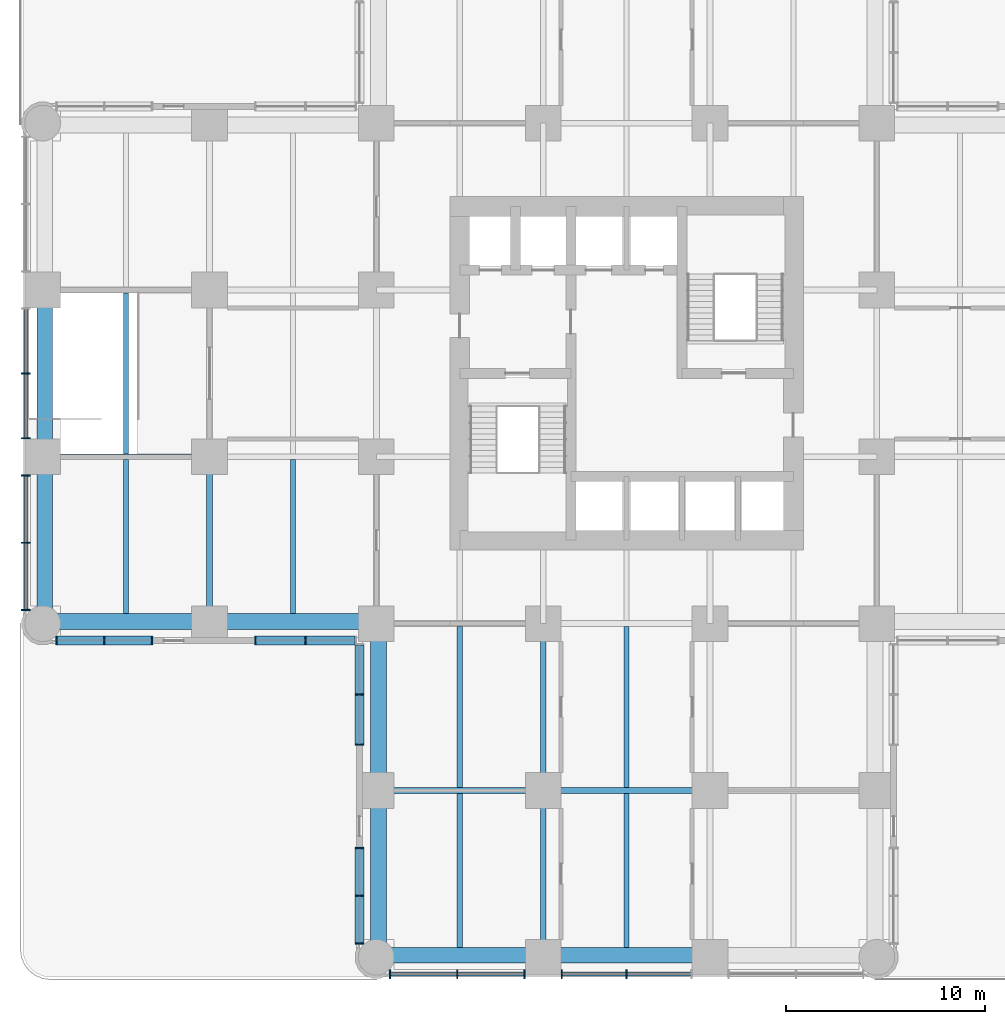
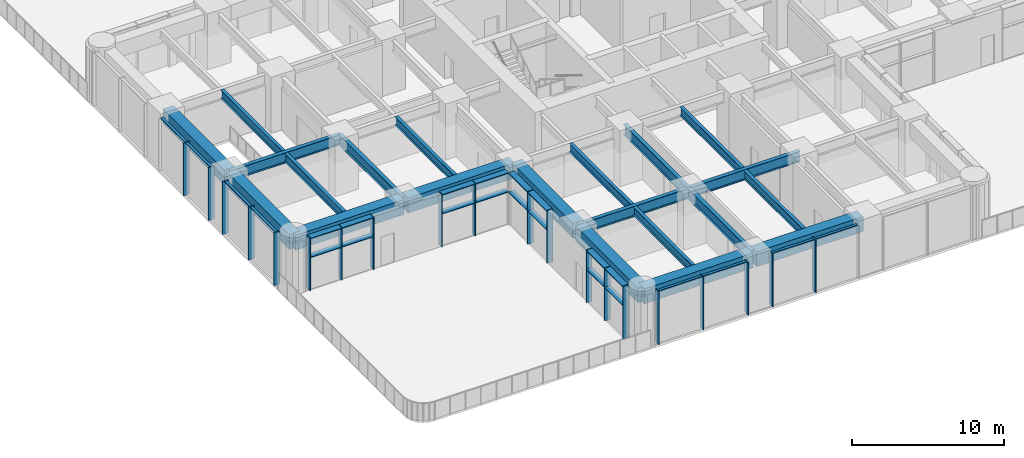
# One storey, part 2 of 21: 44 members, 21 beams, 6 elements without a shape of their own.
"""IFC4 building model written with IfcOpenShell, lengths in metres."""

import ifcopenshell
import ifcopenshell.guid

model = None  # the IFC model being written
_history = None  # IfcOwnerHistory: only IFC2X3 demands one
_inside = {}  # id of a spatial element -> (the spatial element, [elements in it])
_under = {}  # id of a project, library or spatial element -> (it, [spatial elements below it])
_declared = {}  # id of a project -> (the project, [libraries it declares])
_typed = {}  # id of a type object -> (the type object, [elements of that type])
_made_of = {}  # id of a material, layer set ... -> (it, [elements and type objects made of it])


def new_model(schema):
    """Start an empty IFC model of exactly this schema.

    Asked for "IFC4X3", IfcOpenShell would pick the latest addendum, in which some entities
    have other attributes; the version numbers below select the first issue.
    IFC2X3 requires an IfcOwnerHistory on every rooted entity: one is made here for all.
    """
    global model, _history
    if schema == "IFC4X3":
        model = ifcopenshell.file(schema_version=(4, 3, 0, 0))
    else:
        model = ifcopenshell.file(schema=schema)
    _inside.clear()
    _under.clear()
    _declared.clear()
    _typed.clear()
    _made_of.clear()
    _history = None
    if model.schema == "IFC2X3":
        org = make("IfcOrganization", Name="unknown")
        user = make(
            "IfcPersonAndOrganization",
            ThePerson=make("IfcPerson", FamilyName="unknown"),
            TheOrganization=org,
        )
        app = make(
            "IfcApplication",
            ApplicationDeveloper=org,
            Version="unknown",
            ApplicationFullName="unknown",
            ApplicationIdentifier="unknown",
        )
        _history = make(
            "IfcOwnerHistory",
            OwningUser=user,
            OwningApplication=app,
            ChangeAction="ADDED",
            CreationDate=0,
        )
    return model


def make(cls, **values):
    """One entity of the class cls with the attributes given. An attribute that is None is left unset."""
    return model.create_entity(
        cls, **{name: value for name, value in values.items() if value is not None}
    )


def rooted(cls, **values):
    """An entity with a GlobalId (a new one), such as an element, a storey or a relation."""
    return make(cls, GlobalId=ifcopenshell.guid.new(), OwnerHistory=_history, **values)


def si_unit(unit_type, name, prefix=None):
    """IfcSIUnit, for example si_unit("LENGTHUNIT", "METRE", prefix="MILLI")."""
    return make("IfcSIUnit", UnitType=unit_type, Prefix=prefix, Name=name)


def assignment(units):
    """IfcUnitAssignment: the units of a project."""
    return None if units is None else make("IfcUnitAssignment", Units=units)


def point(xyz):
    """IfcCartesianPoint."""
    return None if xyz is None else make("IfcCartesianPoint", Coordinates=xyz)


def direction(xyz):
    """IfcDirection."""
    return None if xyz is None else make("IfcDirection", DirectionRatios=xyz)


def frame(location, z_axis=None, x_axis=None):
    """IfcAxis2Placement3D, a coordinate frame: its origin and axes. An axis left out is left unset."""
    return make(
        "IfcAxis2Placement3D",
        Location=point(location),
        Axis=direction(z_axis),
        RefDirection=direction(x_axis),
    )


def frame_2d(location, x_axis=None):
    """IfcAxis2Placement2D, a coordinate frame in the plane: its origin and x axis."""
    return make(
        "IfcAxis2Placement2D", Location=point(location), RefDirection=direction(x_axis)
    )


def origin():
    """The frame at (0, 0, 0) with its axes left unset."""
    return frame((0.0, 0.0, 0.0))


def origin_2d():
    """The frame at (0, 0) in the plane with its x axis left unset."""
    return frame_2d((0.0, 0.0))


def place(relative_to, where):
    """IfcLocalPlacement: puts the frame where relative to a parent placement (None: the world)."""
    return make(
        "IfcLocalPlacement", PlacementRelTo=relative_to, RelativePlacement=where
    )


def context(
    kind, dimensions, precision=None, world=None, true_north=None, identifier=None
):
    """IfcGeometricRepresentationContext, for example the 3D "Model" context."""
    return make(
        "IfcGeometricRepresentationContext",
        ContextIdentifier=identifier,
        ContextType=kind,
        CoordinateSpaceDimension=dimensions,
        Precision=precision,
        WorldCoordinateSystem=world,
        TrueNorth=true_north,
    )


def subcontext(parent, identifier, kind, view, scale=None):
    """IfcGeometricRepresentationSubContext, for example "Body" below "Model"."""
    return make(
        "IfcGeometricRepresentationSubContext",
        ContextIdentifier=identifier,
        ContextType=kind,
        ParentContext=parent,
        TargetScale=scale,
        TargetView=view,
    )


def project(units=None, contexts=None):
    """IfcProject with its units and contexts."""
    return rooted(
        "IfcProject",
        Name="project",
        RepresentationContexts=contexts,
        UnitsInContext=assignment(units),
    )


def spatial(cls, under=None, at=None, **own):
    """A site, building, storey or space (cls), placed at a placement, below another one or the project."""
    s = rooted(cls, ObjectPlacement=at, **own)
    if under is not None:
        _under.setdefault(under.id(), (under, []))[1].append(s)
    return s


def profile(cls, at=None, kind="AREA", **sizes):
    """A parametric profile (cls). Its sizes go by their IFC names, for example OverallWidth=200.0."""
    return make(cls, ProfileType=kind, Position=at, **sizes)


def rectangle(**sizes):
    """IfcRectangleProfileDef."""
    return profile("IfcRectangleProfileDef", **sizes)


def i_section(**sizes):
    """IfcIShapeProfileDef."""
    return profile("IfcIShapeProfileDef", **sizes)


def extrude(swept, where, along, depth):
    """IfcExtrudedAreaSolid: the profile swept, set in the frame where, extruded along a direction by depth."""
    return make(
        "IfcExtrudedAreaSolid",
        SweptArea=swept,
        Position=where,
        ExtrudedDirection=direction(along),
        Depth=depth,
    )


def shape(context_of_items, identifier, shape_type, items):
    """IfcShapeRepresentation: the items that make up one representation, for example the "Body"."""
    return make(
        "IfcShapeRepresentation",
        ContextOfItems=context_of_items,
        RepresentationIdentifier=identifier,
        RepresentationType=shape_type,
        Items=items,
    )


def material(Name=None, Category=None):
    """IfcMaterial."""
    return make("IfcMaterial", Name=Name, Category=Category)


def material_profile(
    of_material, cross_section, Name=None, Category=None, Priority=None
):
    """IfcMaterialProfile: a cross section and its material."""
    return make(
        "IfcMaterialProfile",
        Name=Name,
        Material=of_material,
        Profile=cross_section,
        Priority=Priority,
        Category=Category,
    )


def profile_set(profiles, Name=None, composite=None):
    """IfcMaterialProfileSet."""
    return make(
        "IfcMaterialProfileSet",
        Name=Name,
        MaterialProfiles=profiles,
        CompositeProfile=composite,
    )


def made_of(thing, what):
    """Note that an element or type object is made of a material, layer set ...; save() writes the relation."""
    if what is not None:
        _made_of.setdefault(what.id(), (what, []))[1].append(thing)
    return thing


def type_object(cls, material=None, **own):
    """A type object (cls), such as IfcWallType, which elements share."""
    return made_of(rooted(cls, **own), material)


def element(
    cls,
    number,
    at=None,
    inside=None,
    cuts=None,
    type_object=None,
    material=None,
    context=None,
    identifier="Body",
    shape_type=None,
    held_by="IfcProductDefinitionShape",
    body=None,
    shapes=None,
    **own,
):
    """One element of the class cls, such as IfcWall. Its Tag is "e" and its number.

    at: its placement. inside: the storey or other place that contains it. cuts: it is an
    opening in that element (IfcRelVoidsElement). A single representation is given by context,
    identifier, shape_type and body (its items); several are given by shapes. held_by: the class
    of the entity that holds the representations. save() writes the other relations.
    """
    e = rooted(cls, Tag="e%d" % number, ObjectPlacement=at, **own)
    if body is not None:
        shapes = [shape(context, identifier, shape_type, body)]
    if shapes is not None:
        e.Representation = make(held_by, Representations=shapes)
    if inside is not None:
        _inside.setdefault(inside.id(), (inside, []))[1].append(e)
    if cuts is not None:
        rooted(
            "IfcRelVoidsElement", RelatingBuildingElement=cuts, RelatedOpeningElement=e
        )
    if type_object is not None:
        _typed.setdefault(type_object.id(), (type_object, []))[1].append(e)
    return made_of(e, material)


def aggregate(whole, parts):
    """IfcRelAggregates: a whole, such as a stair, and the parts it consists of."""
    return rooted("IfcRelAggregates", RelatingObject=whole, RelatedObjects=parts)


def save(model, path):
    """Write the relations noted so far, then the file.

    IfcRelAggregates (storeys below a building ...), IfcRelContainedInSpatialStructure (elements
    in a storey), IfcRelDefinesByType, IfcRelAssociatesMaterial and IfcRelDeclares: one each for
    every whole, place, type object, material and project.
    """
    for whole, parts in _under.values():
        aggregate(whole, parts)
    for where, things in _inside.values():
        rooted(
            "IfcRelContainedInSpatialStructure",
            RelatedElements=things,
            RelatingStructure=where,
        )
    for kind, things in _typed.values():
        rooted("IfcRelDefinesByType", RelatedObjects=things, RelatingType=kind)
    for what, things in _made_of.values():
        rooted("IfcRelAssociatesMaterial", RelatedObjects=things, RelatingMaterial=what)
    for by, libraries in _declared.values():
        rooted("IfcRelDeclares", RelatingContext=by, RelatedDefinitions=libraries)
    model.write(path)


model = new_model("IFC4")

# Units and contexts
model_context = context("Model", 3, precision=1e-05, world=origin(), true_north=direction((0.0, 1.0)))
body_context = subcontext(model_context, "Body", "Model", "MODEL_VIEW")
ifc_project = project(units=[si_unit("LENGTHUNIT", "METRE"), si_unit("AREAUNIT", "SQUARE_METRE"), si_unit("VOLUMEUNIT", "CUBIC_METRE"), si_unit("PLANEANGLEUNIT", "RADIAN"), si_unit("MASSUNIT", "GRAM", prefix="KILO")], contexts=[model_context])

# Site, building, storey
site_placement = place(None, origin())
site = spatial("IfcSite", under=ifc_project, at=site_placement, CompositionType="ELEMENT")
building_placement = place(site_placement, origin())
building = spatial("IfcBuilding", under=site, at=building_placement, Name="Torre Alcanfor", CompositionType="ELEMENT")
storey_placement = place(building_placement, frame((0.0, 0.0, 24.0)))
storey = spatial("IfcBuildingStorey", under=building, at=storey_placement, Name="L05", CompositionType="ELEMENT", Elevation=24.0)

# Curtain wall, members
ifc_material_1 = material(Name="Aluminium and glass", Category="aluminium")
curtain_wall_type_1 = type_object("IfcCurtainWallType", Name="CW-B unitised classroom glazing with vertical FIN", PredefinedType="NOTDEFINED", material=ifc_material_1)
curtain_wall_1_placement = place(storey_placement, origin())
curtain_wall_1 = element("IfcCurtainWall", 1, at=curtain_wall_1_placement, inside=storey, type_object=curtain_wall_type_1, Name="Curtain wall CW-B L05 2", PredefinedType="NOTDEFINED")
ifc_material_2 = material(Name="Bronze anodised aluminium", Category="aluminium")
ifc_material_profile_1 = material_profile(ifc_material_2, rectangle(XDim=0.449951171875, YDim=0.06494140625, at=origin_2d()), Name="CW-B mullion 65x450")
ifc_profile_set_1 = profile_set([ifc_material_profile_1], Name="Bronze anodised aluminium")
member_type_1 = type_object("IfcMemberType", Name="CW-B mullion with vertical FIN 65x450", PredefinedType="MULLION", material=ifc_profile_set_1)
member_1_placement = place(storey_placement, frame((-0.85009765625, 29.39990234375, 0.0), z_axis=(0.0, 0.0, 1.0), x_axis=(1.0, 0.0, 0.0)))
member_1 = element("IfcMember", 2, at=member_1_placement, type_object=member_type_1, Name="CW-B mullion 2.2", PredefinedType="MULLION", context=body_context, shape_type="SweptSolid", body=[
    extrude(rectangle(XDim=0.449951171875, YDim=0.06494140625, at=origin_2d()), origin(), (0.0, 0.0, 1.0), 4.25),
])
member_2_placement = place(storey_placement, frame((-0.85009765625, 26.137451171875, 0.0), z_axis=(0.0, 0.0, 1.0), x_axis=(1.0, 0.0, 0.0)))
member_2 = element("IfcMember", 3, at=member_2_placement, type_object=member_type_1, Name="CW-B mullion 2.3", PredefinedType="MULLION", context=body_context, shape_type="SweptSolid", body=[
    extrude(rectangle(XDim=0.449951171875, YDim=0.06494140625, at=origin_2d()), origin(), (0.0, 0.0, 1.0), 4.25),
])
member_3_placement = place(storey_placement, frame((-0.85009765625, 24.262451171875, 0.0), z_axis=(0.0, 0.0, 1.0), x_axis=(1.0, 0.0, 0.0)))
member_3 = element("IfcMember", 4, at=member_3_placement, type_object=member_type_1, Name="CW-B mullion 3.1", PredefinedType="MULLION", context=body_context, shape_type="SweptSolid", body=[
    extrude(rectangle(XDim=0.449951171875, YDim=0.06494140625, at=origin_2d()), origin(), (0.0, 0.0, 1.0), 4.25),
])
member_4_placement = place(storey_placement, frame((-0.85009765625, 20.874755859375, 0.0), z_axis=(0.0, 0.0, 1.0), x_axis=(1.0, 0.0, 0.0)))
member_4 = element("IfcMember", 5, at=member_4_placement, type_object=member_type_1, Name="CW-B mullion 3.2", PredefinedType="MULLION", context=body_context, shape_type="SweptSolid", body=[
    extrude(rectangle(XDim=0.449951171875, YDim=0.06494140625, at=origin_2d()), origin(), (0.0, 0.0, 1.0), 4.25),
])
member_5_placement = place(storey_placement, frame((-0.85009765625, 17.487060546875, 0.0), z_axis=(0.0, 0.0, 1.0), x_axis=(1.0, 0.0, 0.0)))
member_5 = element("IfcMember", 6, at=member_5_placement, type_object=member_type_1, Name="CW-B mullion 3.3", PredefinedType="MULLION", context=body_context, shape_type="SweptSolid", body=[
    extrude(rectangle(XDim=0.449951171875, YDim=0.06494140625, at=origin_2d()), origin(), (0.0, 0.0, 1.0), 4.25),
])

curtain_wall_2_placement = place(storey_placement, origin())
curtain_wall_2 = element("IfcCurtainWall", 7, at=curtain_wall_2_placement, inside=storey, type_object=curtain_wall_type_1, Name="Curtain wall CW-B L05 5", PredefinedType="NOTDEFINED")
member_6_placement = place(storey_placement, frame((17.487060546875, -0.85009765625, 0.0), z_axis=(0.0, 0.0, 1.0), x_axis=(0.0, 1.0, 0.0)))
member_6 = element("IfcMember", 8, at=member_6_placement, type_object=member_type_1, Name="CW-B mullion 1.1", PredefinedType="MULLION", context=body_context, shape_type="SweptSolid", body=[
    extrude(rectangle(XDim=0.449951171875, YDim=0.06494140625, at=origin_2d()), origin(), (0.0, 0.0, 1.0), 4.25),
])
member_7_placement = place(storey_placement, frame((20.874755859375, -0.85009765625, 0.0), z_axis=(0.0, 0.0, 1.0), x_axis=(0.0, 1.0, 0.0)))
member_7 = element("IfcMember", 9, at=member_7_placement, type_object=member_type_1, Name="CW-B mullion 1.2", PredefinedType="MULLION", context=body_context, shape_type="SweptSolid", body=[
    extrude(rectangle(XDim=0.449951171875, YDim=0.06494140625, at=origin_2d()), origin(), (0.0, 0.0, 1.0), 4.25),
])
member_8_placement = place(storey_placement, frame((24.262451171875, -0.85009765625, 0.0), z_axis=(0.0, 0.0, 1.0), x_axis=(0.0, 1.0, 0.0)))
member_8 = element("IfcMember", 10, at=member_8_placement, type_object=member_type_1, Name="CW-B mullion 1.3", PredefinedType="MULLION", context=body_context, shape_type="SweptSolid", body=[
    extrude(rectangle(XDim=0.449951171875, YDim=0.06494140625, at=origin_2d()), origin(), (0.0, 0.0, 1.0), 4.25),
])
member_9_placement = place(storey_placement, frame((26.137451171875, -0.85009765625, 0.0), z_axis=(0.0, 0.0, 1.0), x_axis=(0.0, 1.0, 0.0)))
member_9 = element("IfcMember", 11, at=member_9_placement, type_object=member_type_1, Name="CW-B mullion 2.1", PredefinedType="MULLION", context=body_context, shape_type="SweptSolid", body=[
    extrude(rectangle(XDim=0.449951171875, YDim=0.06494140625, at=origin_2d()), origin(), (0.0, 0.0, 1.0), 4.25),
])
member_10_placement = place(storey_placement, frame((29.39990234375, -0.85009765625, 0.0), z_axis=(0.0, 0.0, 1.0), x_axis=(0.0, 1.0, 0.0)))
member_10 = element("IfcMember", 12, at=member_10_placement, type_object=member_type_1, Name="CW-B mullion 2.2", PredefinedType="MULLION", context=body_context, shape_type="SweptSolid", body=[
    extrude(rectangle(XDim=0.449951171875, YDim=0.06494140625, at=origin_2d()), origin(), (0.0, 0.0, 1.0), 4.25),
])

# Member
ifc_material_3 = material(Name="Extruded aluminium", Category="aluminium")
ifc_material_profile_2 = material_profile(ifc_material_3, rectangle(XDim=0.199951171875, YDim=0.06494140625, at=origin_2d()), Name="CW-B transom 200x65")
ifc_profile_set_2 = profile_set([ifc_material_profile_2], Name="Extruded aluminium")
member_type_2 = type_object("IfcMemberType", Name="CW-B transom 65x200", PredefinedType="USERDEFINED", material=ifc_profile_set_2)
member_11_placement = place(storey_placement, frame((-0.85009765625, 32.6298828125, 4.217529296875), z_axis=(0.0, -1.0, 0.0), x_axis=(1.0, 0.0, 0.0)))
member_11 = element("IfcMember", 13, at=member_11_placement, type_object=member_type_2, Name="CW-B transom 2.1.2", ObjectType="TRANSOM", PredefinedType="USERDEFINED", context=body_context, shape_type="SweptSolid", body=[
    extrude(rectangle(XDim=0.199951171875, YDim=0.06494140625, at=origin_2d()), origin(), (0.0, 0.0, 1.0), 3.197265625),
])

member_12_placement = place(storey_placement, frame((-0.85009765625, 29.367431640625, 4.217529296875), z_axis=(0.0, -1.0, 0.0), x_axis=(1.0, 0.0, 0.0)))
member_12 = element("IfcMember", 14, at=member_12_placement, type_object=member_type_2, Name="CW-B transom 2.2.2", ObjectType="TRANSOM", PredefinedType="USERDEFINED", context=body_context, shape_type="SweptSolid", body=[
    extrude(rectangle(XDim=0.199951171875, YDim=0.06494140625, at=origin_2d()), origin(), (0.0, 0.0, 1.0), 3.197509765625),
])

member_13_placement = place(storey_placement, frame((-0.85009765625, 24.22998046875, 4.217529296875), z_axis=(0.0, -1.0, 0.0), x_axis=(1.0, 0.0, 0.0)))
member_13 = element("IfcMember", 15, at=member_13_placement, type_object=member_type_2, Name="CW-B transom 3.1.2", ObjectType="TRANSOM", PredefinedType="USERDEFINED", context=body_context, shape_type="SweptSolid", body=[
    extrude(rectangle(XDim=0.199951171875, YDim=0.06494140625, at=origin_2d()), origin(), (0.0, 0.0, 1.0), 3.32275390625),
])

member_14_placement = place(storey_placement, frame((-0.85009765625, 20.84228515625, 4.217529296875), z_axis=(0.0, -1.0, 0.0), x_axis=(1.0, 0.0, 0.0)))
member_14 = element("IfcMember", 16, at=member_14_placement, type_object=member_type_2, Name="CW-B transom 3.2.2", ObjectType="TRANSOM", PredefinedType="USERDEFINED", context=body_context, shape_type="SweptSolid", body=[
    extrude(rectangle(XDim=0.199951171875, YDim=0.06494140625, at=origin_2d()), origin(), (0.0, 0.0, 1.0), 3.32275390625),
])

aggregate(curtain_wall_1, [member_1, member_2, member_11, member_12, member_3, member_4, member_5, member_13, member_14])

member_15_placement = place(storey_placement, frame((17.51953125, -0.85009765625, 4.217529296875), z_axis=(1.0, 0.0, 0.0), x_axis=(0.0, 1.0, 0.0)))
member_15 = element("IfcMember", 17, at=member_15_placement, type_object=member_type_2, Name="CW-B transom 1.1.2", ObjectType="TRANSOM", PredefinedType="USERDEFINED", context=body_context, shape_type="SweptSolid", body=[
    extrude(rectangle(XDim=0.199951171875, YDim=0.06494140625, at=origin_2d()), origin(), (0.0, 0.0, 1.0), 3.32275390625),
])

member_16_placement = place(storey_placement, frame((20.9072265625, -0.85009765625, 4.217529296875), z_axis=(1.0, 0.0, 0.0), x_axis=(0.0, 1.0, 0.0)))
member_16 = element("IfcMember", 18, at=member_16_placement, type_object=member_type_2, Name="CW-B transom 1.2.2", ObjectType="TRANSOM", PredefinedType="USERDEFINED", context=body_context, shape_type="SweptSolid", body=[
    extrude(rectangle(XDim=0.199951171875, YDim=0.06494140625, at=origin_2d()), origin(), (0.0, 0.0, 1.0), 3.32275390625),
])

member_17_placement = place(storey_placement, frame((26.169921875, -0.85009765625, 4.217529296875), z_axis=(1.0, 0.0, 0.0), x_axis=(0.0, 1.0, 0.0)))
member_17 = element("IfcMember", 19, at=member_17_placement, type_object=member_type_2, Name="CW-B transom 2.1.2", ObjectType="TRANSOM", PredefinedType="USERDEFINED", context=body_context, shape_type="SweptSolid", body=[
    extrude(rectangle(XDim=0.199951171875, YDim=0.06494140625, at=origin_2d()), origin(), (0.0, 0.0, 1.0), 3.197509765625),
])

member_18_placement = place(storey_placement, frame((29.4326171875, -0.85009765625, 4.217529296875), z_axis=(1.0, 0.0, 0.0), x_axis=(0.0, 1.0, 0.0)))
member_18 = element("IfcMember", 20, at=member_18_placement, type_object=member_type_2, Name="CW-B transom 2.2.2", ObjectType="TRANSOM", PredefinedType="USERDEFINED", context=body_context, shape_type="SweptSolid", body=[
    extrude(rectangle(XDim=0.199951171875, YDim=0.06494140625, at=origin_2d()), origin(), (0.0, 0.0, 1.0), 3.197265625),
])

aggregate(curtain_wall_2, [member_6, member_7, member_8, member_15, member_16, member_9, member_10, member_17, member_18])

# Curtain wall, members
ifc_material_4 = material(Name="Aluminium and glass", Category="aluminium")
curtain_wall_type_2 = type_object("IfcCurtainWallType", Name="CW-F south classroom glazing with SUNSHADE transom", PredefinedType="NOTDEFINED", material=ifc_material_4)
curtain_wall_3_placement = place(storey_placement, origin())
curtain_wall_3 = element("IfcCurtainWall", 21, at=curtain_wall_3_placement, inside=storey, type_object=curtain_wall_type_2, Name="Curtain wall CW-F L05 3", PredefinedType="NOTDEFINED")
ifc_material_5 = material(Name="Extruded aluminium", Category="aluminium")
ifc_material_profile_3 = material_profile(ifc_material_5, rectangle(XDim=0.449951171875, YDim=0.06494140625, at=origin_2d()), Name="CW-F transom 450x65")
ifc_profile_set_3 = profile_set([ifc_material_profile_3], Name="Extruded aluminium")
member_type_3 = type_object("IfcMemberType", Name="CW-F SUNSHADE transom 65x450", PredefinedType="USERDEFINED", material=ifc_profile_set_3)
member_19_placement = place(storey_placement, frame((0.719482421875, 15.949951171875, 2.699951171875), z_axis=(1.0, 0.0, 0.0), x_axis=(0.0, 1.0, 0.0)))
member_19 = element("IfcMember", 22, at=member_19_placement, type_object=member_type_3, Name="CW-F transom 1.1.2", ObjectType="TRANSOM", PredefinedType="USERDEFINED", context=body_context, shape_type="SweptSolid", body=[
    extrude(rectangle(XDim=0.449951171875, YDim=0.06494140625, at=origin_2d()), origin(), (0.0, 0.0, 1.0), 2.341796875),
])
member_20_placement = place(storey_placement, frame((0.719482421875, 15.949951171875, 4.217529296875), z_axis=(1.0, 0.0, 0.0), x_axis=(0.0, 1.0, 0.0)))
member_20 = element("IfcMember", 23, at=member_20_placement, type_object=member_type_3, Name="CW-F transom 1.1.3", ObjectType="TRANSOM", PredefinedType="USERDEFINED", context=body_context, shape_type="SweptSolid", body=[
    extrude(rectangle(XDim=0.449951171875, YDim=0.06494140625, at=origin_2d()), origin(), (0.0, 0.0, 1.0), 2.341796875),
])
member_21_placement = place(storey_placement, frame((3.12646484375, 15.949951171875, 2.699951171875), z_axis=(1.0, 0.0, 0.0), x_axis=(0.0, 1.0, 0.0)))
member_21 = element("IfcMember", 24, at=member_21_placement, type_object=member_type_3, Name="CW-F transom 1.2.2", ObjectType="TRANSOM", PredefinedType="USERDEFINED", context=body_context, shape_type="SweptSolid", body=[
    extrude(rectangle(XDim=0.449951171875, YDim=0.06494140625, at=origin_2d()), origin(), (0.0, 0.0, 1.0), 2.341796875),
])
member_22_placement = place(storey_placement, frame((3.12646484375, 15.949951171875, 4.217529296875), z_axis=(1.0, 0.0, 0.0), x_axis=(0.0, 1.0, 0.0)))
member_22 = element("IfcMember", 25, at=member_22_placement, type_object=member_type_3, Name="CW-F transom 1.2.3", ObjectType="TRANSOM", PredefinedType="USERDEFINED", context=body_context, shape_type="SweptSolid", body=[
    extrude(rectangle(XDim=0.449951171875, YDim=0.06494140625, at=origin_2d()), origin(), (0.0, 0.0, 1.0), 2.341796875),
])

curtain_wall_4_placement = place(storey_placement, origin())
curtain_wall_4 = element("IfcCurtainWall", 26, at=curtain_wall_4_placement, inside=storey, type_object=curtain_wall_type_2, Name="Curtain wall CW-F L05 3", PredefinedType="NOTDEFINED")
member_23_placement = place(storey_placement, frame((10.731689453125, 15.949951171875, 2.699951171875), z_axis=(1.0, 0.0, 0.0), x_axis=(0.0, 1.0, 0.0)))
member_23 = element("IfcMember", 27, at=member_23_placement, type_object=member_type_3, Name="CW-F transom 1.2", ObjectType="TRANSOM", PredefinedType="USERDEFINED", context=body_context, shape_type="SweptSolid", body=[
    extrude(rectangle(XDim=0.449951171875, YDim=0.06494140625, at=origin_2d()), origin(), (0.0, 0.0, 1.0), 2.46923828125),
])
member_24_placement = place(storey_placement, frame((10.731689453125, 15.949951171875, 4.217529296875), z_axis=(1.0, 0.0, 0.0), x_axis=(0.0, 1.0, 0.0)))
member_24 = element("IfcMember", 28, at=member_24_placement, type_object=member_type_3, Name="CW-F transom 1.3", ObjectType="TRANSOM", PredefinedType="USERDEFINED", context=body_context, shape_type="SweptSolid", body=[
    extrude(rectangle(XDim=0.449951171875, YDim=0.06494140625, at=origin_2d()), origin(), (0.0, 0.0, 1.0), 2.46923828125),
])
member_25_placement = place(storey_placement, frame((13.265869140625, 15.949951171875, 2.699951171875), z_axis=(1.0, 0.0, 0.0), x_axis=(0.0, 1.0, 0.0)))
member_25 = element("IfcMember", 29, at=member_25_placement, type_object=member_type_3, Name="CW-F transom 2.2", ObjectType="TRANSOM", PredefinedType="USERDEFINED", context=body_context, shape_type="SweptSolid", body=[
    extrude(rectangle(XDim=0.449951171875, YDim=0.06494140625, at=origin_2d()), origin(), (0.0, 0.0, 1.0), 2.46923828125),
])
member_26_placement = place(storey_placement, frame((13.265869140625, 15.949951171875, 4.217529296875), z_axis=(1.0, 0.0, 0.0), x_axis=(0.0, 1.0, 0.0)))
member_26 = element("IfcMember", 30, at=member_26_placement, type_object=member_type_3, Name="CW-F transom 2.3", ObjectType="TRANSOM", PredefinedType="USERDEFINED", context=body_context, shape_type="SweptSolid", body=[
    extrude(rectangle(XDim=0.449951171875, YDim=0.06494140625, at=origin_2d()), origin(), (0.0, 0.0, 1.0), 2.46923828125),
])

curtain_wall_5_placement = place(storey_placement, origin())
curtain_wall_5 = element("IfcCurtainWall", 31, at=curtain_wall_5_placement, inside=storey, type_object=curtain_wall_type_2, Name="Curtain wall CW-F L05 4", PredefinedType="NOTDEFINED")
member_27_placement = place(storey_placement, frame((15.949951171875, 15.735107421875, 2.699951171875), z_axis=(0.0, -1.0, 0.0), x_axis=(1.0, 0.0, 0.0)))
member_27 = element("IfcMember", 32, at=member_27_placement, type_object=member_type_3, Name="CW-F transom 1.2", ObjectType="TRANSOM", PredefinedType="USERDEFINED", context=body_context, shape_type="SweptSolid", body=[
    extrude(rectangle(XDim=0.449951171875, YDim=0.06494140625, at=origin_2d()), origin(), (0.0, 0.0, 1.0), 2.46923828125),
])
member_28_placement = place(storey_placement, frame((15.949951171875, 15.735107421875, 4.217529296875), z_axis=(0.0, -1.0, 0.0), x_axis=(1.0, 0.0, 0.0)))
member_28 = element("IfcMember", 33, at=member_28_placement, type_object=member_type_3, Name="CW-F transom 1.3", ObjectType="TRANSOM", PredefinedType="USERDEFINED", context=body_context, shape_type="SweptSolid", body=[
    extrude(rectangle(XDim=0.449951171875, YDim=0.06494140625, at=origin_2d()), origin(), (0.0, 0.0, 1.0), 2.46923828125),
])
member_29_placement = place(storey_placement, frame((15.949951171875, 13.200927734375, 2.699951171875), z_axis=(0.0, -1.0, 0.0), x_axis=(1.0, 0.0, 0.0)))
member_29 = element("IfcMember", 34, at=member_29_placement, type_object=member_type_3, Name="CW-F transom 2.2", ObjectType="TRANSOM", PredefinedType="USERDEFINED", context=body_context, shape_type="SweptSolid", body=[
    extrude(rectangle(XDim=0.449951171875, YDim=0.06494140625, at=origin_2d()), origin(), (0.0, 0.0, 1.0), 2.46923828125),
])
member_30_placement = place(storey_placement, frame((15.949951171875, 13.200927734375, 4.217529296875), z_axis=(0.0, -1.0, 0.0), x_axis=(1.0, 0.0, 0.0)))
member_30 = element("IfcMember", 35, at=member_30_placement, type_object=member_type_3, Name="CW-F transom 2.3", ObjectType="TRANSOM", PredefinedType="USERDEFINED", context=body_context, shape_type="SweptSolid", body=[
    extrude(rectangle(XDim=0.449951171875, YDim=0.06494140625, at=origin_2d()), origin(), (0.0, 0.0, 1.0), 2.46923828125),
])

curtain_wall_6_placement = place(storey_placement, origin())
curtain_wall_6 = element("IfcCurtainWall", 36, at=curtain_wall_6_placement, inside=storey, type_object=curtain_wall_type_2, Name="Curtain wall CW-F L05 4", PredefinedType="NOTDEFINED")
member_31_placement = place(storey_placement, frame((15.949951171875, 5.46826171875, 2.699951171875), z_axis=(0.0, -1.0, 0.0), x_axis=(1.0, 0.0, 0.0)))
member_31 = element("IfcMember", 37, at=member_31_placement, type_object=member_type_3, Name="CW-F transom 1.1.2", ObjectType="TRANSOM", PredefinedType="USERDEFINED", context=body_context, shape_type="SweptSolid", body=[
    extrude(rectangle(XDim=0.449951171875, YDim=0.06494140625, at=origin_2d()), origin(), (0.0, 0.0, 1.0), 2.341796875),
])
member_32_placement = place(storey_placement, frame((15.949951171875, 5.46826171875, 4.217529296875), z_axis=(0.0, -1.0, 0.0), x_axis=(1.0, 0.0, 0.0)))
member_32 = element("IfcMember", 38, at=member_32_placement, type_object=member_type_3, Name="CW-F transom 1.1.3", ObjectType="TRANSOM", PredefinedType="USERDEFINED", context=body_context, shape_type="SweptSolid", body=[
    extrude(rectangle(XDim=0.449951171875, YDim=0.06494140625, at=origin_2d()), origin(), (0.0, 0.0, 1.0), 2.341796875),
])
member_33_placement = place(storey_placement, frame((15.949951171875, 3.061279296875, 2.699951171875), z_axis=(0.0, -1.0, 0.0), x_axis=(1.0, 0.0, 0.0)))
member_33 = element("IfcMember", 39, at=member_33_placement, type_object=member_type_3, Name="CW-F transom 1.2.2", ObjectType="TRANSOM", PredefinedType="USERDEFINED", context=body_context, shape_type="SweptSolid", body=[
    extrude(rectangle(XDim=0.449951171875, YDim=0.06494140625, at=origin_2d()), origin(), (0.0, 0.0, 1.0), 2.341796875),
])
member_34_placement = place(storey_placement, frame((15.949951171875, 3.061279296875, 4.217529296875), z_axis=(0.0, -1.0, 0.0), x_axis=(1.0, 0.0, 0.0)))
member_34 = element("IfcMember", 40, at=member_34_placement, type_object=member_type_3, Name="CW-F transom 1.2.3", ObjectType="TRANSOM", PredefinedType="USERDEFINED", context=body_context, shape_type="SweptSolid", body=[
    extrude(rectangle(XDim=0.449951171875, YDim=0.06494140625, at=origin_2d()), origin(), (0.0, 0.0, 1.0), 2.341796875),
])

# Member
ifc_material_6 = material(Name="Bronze anodised aluminium", Category="aluminium")
ifc_material_profile_4 = material_profile(ifc_material_6, rectangle(XDim=0.449951171875, YDim=0.06494140625, at=origin_2d()), Name="CW-F mullion 65x450")
ifc_profile_set_4 = profile_set([ifc_material_profile_4], Name="Bronze anodised aluminium")
member_type_4 = type_object("IfcMemberType", Name="CW-F mullion with vertical FIN 65x450", PredefinedType="MULLION", material=ifc_profile_set_4)
member_35_placement = place(storey_placement, frame((0.68701171875, 15.949951171875, 0.0), z_axis=(0.0, 0.0, 1.0), x_axis=(0.0, 1.0, 0.0)))
member_35 = element("IfcMember", 41, at=member_35_placement, type_object=member_type_4, Name="CW-F mullion 1.1", PredefinedType="MULLION", context=body_context, shape_type="SweptSolid", body=[
    extrude(rectangle(XDim=0.449951171875, YDim=0.06494140625, at=origin_2d()), origin(), (0.0, 0.0, 1.0), 4.25),
])

member_36_placement = place(storey_placement, frame((3.093994140625, 15.949951171875, 0.0), z_axis=(0.0, 0.0, 1.0), x_axis=(0.0, 1.0, 0.0)))
member_36 = element("IfcMember", 42, at=member_36_placement, type_object=member_type_4, Name="CW-F mullion 1.2", PredefinedType="MULLION", context=body_context, shape_type="SweptSolid", body=[
    extrude(rectangle(XDim=0.449951171875, YDim=0.06494140625, at=origin_2d()), origin(), (0.0, 0.0, 1.0), 4.25),
])

member_37_placement = place(storey_placement, frame((5.500732421875, 15.949951171875, 0.0), z_axis=(0.0, 0.0, 1.0), x_axis=(0.0, 1.0, 0.0)))
member_37 = element("IfcMember", 43, at=member_37_placement, type_object=member_type_4, Name="CW-F mullion 1.3", PredefinedType="MULLION", context=body_context, shape_type="SweptSolid", body=[
    extrude(rectangle(XDim=0.449951171875, YDim=0.06494140625, at=origin_2d()), origin(), (0.0, 0.0, 1.0), 4.25),
])

aggregate(curtain_wall_3, [member_35, member_36, member_37, member_19, member_20, member_21, member_22])

member_38_placement = place(storey_placement, frame((10.69921875, 15.949951171875, 0.0), z_axis=(0.0, 0.0, 1.0), x_axis=(0.0, 1.0, 0.0)))
member_38 = element("IfcMember", 44, at=member_38_placement, type_object=member_type_4, Name="CW-F mullion 1", PredefinedType="MULLION", context=body_context, shape_type="SweptSolid", body=[
    extrude(rectangle(XDim=0.449951171875, YDim=0.06494140625, at=origin_2d()), origin(), (0.0, 0.0, 1.0), 4.25),
])

member_39_placement = place(storey_placement, frame((13.2333984375, 15.949951171875, 0.0), z_axis=(0.0, 0.0, 1.0), x_axis=(0.0, 1.0, 0.0)))
member_39 = element("IfcMember", 45, at=member_39_placement, type_object=member_type_4, Name="CW-F mullion 2", PredefinedType="MULLION", context=body_context, shape_type="SweptSolid", body=[
    extrude(rectangle(XDim=0.449951171875, YDim=0.06494140625, at=origin_2d()), origin(), (0.0, 0.0, 1.0), 4.25),
])

aggregate(curtain_wall_4, [member_38, member_39, member_23, member_24, member_25, member_26])

member_40_placement = place(storey_placement, frame((15.949951171875, 13.2333984375, 0.0), z_axis=(0.0, 0.0, 1.0), x_axis=(1.0, 0.0, 0.0)))
member_40 = element("IfcMember", 46, at=member_40_placement, type_object=member_type_4, Name="CW-F mullion 2", PredefinedType="MULLION", context=body_context, shape_type="SweptSolid", body=[
    extrude(rectangle(XDim=0.449951171875, YDim=0.06494140625, at=origin_2d()), origin(), (0.0, 0.0, 1.0), 4.25),
])

member_41_placement = place(storey_placement, frame((15.949951171875, 10.69921875, 0.0), z_axis=(0.0, 0.0, 1.0), x_axis=(1.0, 0.0, 0.0)))
member_41 = element("IfcMember", 47, at=member_41_placement, type_object=member_type_4, Name="CW-F mullion 3", PredefinedType="MULLION", context=body_context, shape_type="SweptSolid", body=[
    extrude(rectangle(XDim=0.449951171875, YDim=0.06494140625, at=origin_2d()), origin(), (0.0, 0.0, 1.0), 4.25),
])

aggregate(curtain_wall_5, [member_40, member_41, member_27, member_28, member_29, member_30])

member_42_placement = place(storey_placement, frame((15.949951171875, 5.500732421875, 0.0), z_axis=(0.0, 0.0, 1.0), x_axis=(1.0, 0.0, 0.0)))
member_42 = element("IfcMember", 48, at=member_42_placement, type_object=member_type_4, Name="CW-F mullion 1.1", PredefinedType="MULLION", context=body_context, shape_type="SweptSolid", body=[
    extrude(rectangle(XDim=0.449951171875, YDim=0.06494140625, at=origin_2d()), origin(), (0.0, 0.0, 1.0), 4.25),
])

member_43_placement = place(storey_placement, frame((15.949951171875, 3.093994140625, 0.0), z_axis=(0.0, 0.0, 1.0), x_axis=(1.0, 0.0, 0.0)))
member_43 = element("IfcMember", 49, at=member_43_placement, type_object=member_type_4, Name="CW-F mullion 1.2", PredefinedType="MULLION", context=body_context, shape_type="SweptSolid", body=[
    extrude(rectangle(XDim=0.449951171875, YDim=0.06494140625, at=origin_2d()), origin(), (0.0, 0.0, 1.0), 4.25),
])

member_44_placement = place(storey_placement, frame((15.949951171875, 0.68701171875, 0.0), z_axis=(0.0, 0.0, 1.0), x_axis=(1.0, 0.0, 0.0)))
member_44 = element("IfcMember", 50, at=member_44_placement, type_object=member_type_4, Name="CW-F mullion 1.3", PredefinedType="MULLION", context=body_context, shape_type="SweptSolid", body=[
    extrude(rectangle(XDim=0.449951171875, YDim=0.06494140625, at=origin_2d()), origin(), (0.0, 0.0, 1.0), 4.25),
])

aggregate(curtain_wall_6, [member_42, member_43, member_44, member_31, member_32, member_33, member_34])

# Beams
ifc_material_7 = material(Name="Steel ASTM A992 Grade 50", Category="steel")
ifc_material_profile_5 = material_profile(ifc_material_7, i_section(OverallWidth=0.2919921875, OverallDepth=0.8408203125, WebThickness=0.0146484375, FlangeThickness=0.021728515625, at=origin_2d()), Name="W33x130")
ifc_profile_set_5 = profile_set([ifc_material_profile_5], Name="Steel ASTM A992 Grade 50")
beam_type_1 = type_object("IfcBeamType", Name="Girder W33x130", PredefinedType="BEAM", material=ifc_profile_set_5)
beam_1_placement = place(storey_placement, frame((16.800048828125, 8.39990234375, 3.82958984375), z_axis=(1.0, 0.0, 0.0), x_axis=(0.0, 1.0, 0.0)))
element("IfcBeam", 51, at=beam_1_placement, inside=storey, type_object=beam_type_1, Name="Beam 3D-4D under L06", PredefinedType="BEAM", context=body_context, shape_type="SweptSolid", body=[
    extrude(i_section(OverallWidth=0.2919921875, OverallDepth=0.8408203125, WebThickness=0.0146484375, FlangeThickness=0.021728515625, at=origin_2d()), origin(), (0.0, 0.0, 1.0), 8.39990234375),
])
beam_2_placement = place(storey_placement, frame((25.199951171875, 8.39990234375, 3.82958984375), z_axis=(1.0, 0.0, 0.0), x_axis=(0.0, 1.0, 0.0)))
element("IfcBeam", 52, at=beam_2_placement, inside=storey, type_object=beam_type_1, Name="Beam 4D-5D under L06", PredefinedType="BEAM", context=body_context, shape_type="SweptSolid", body=[
    extrude(i_section(OverallWidth=0.2919921875, OverallDepth=0.8408203125, WebThickness=0.0146484375, FlangeThickness=0.021728515625, at=origin_2d()), origin(), (0.0, 0.0, 1.0), 8.400146484375),
])
for number, where, z_axis, x_axis, name in (
    (53, (0.0, 25.199951171875, 3.82958984375), (1.0, 0.0, 0.0), (0.0, 1.0, 0.0), "Beam 1F-2F under L06"),
    (54, (8.39990234375, 16.800048828125, 3.82958984375), (0.0, 1.0, 0.0), (-1.0, 0.0, 0.0), "Beam 2E-2F under L06"),
    (55, (25.199951171875, 0.0, 3.82958984375), (0.0, 1.0, 0.0), (-1.0, 0.0, 0.0), "Beam 4C-4D under L06"),
):
    element("IfcBeam", number, at=place(storey_placement, frame(where, z_axis=z_axis, x_axis=x_axis)), inside=storey, type_object=beam_type_1, Name=name, PredefinedType="BEAM", context=body_context, shape_type="SweptSolid", body=[
        extrude(i_section(OverallWidth=0.2919921875, OverallDepth=0.8408203125, WebThickness=0.0146484375, FlangeThickness=0.021728515625, at=origin_2d()), origin(), (0.0, 0.0, 1.0), 8.39990234375),
    ])
beam_3_placement = place(storey_placement, frame((25.199951171875, 8.39990234375, 3.82958984375), z_axis=(0.0, 1.0, 0.0), x_axis=(-1.0, 0.0, 0.0)))
element("IfcBeam", 56, at=beam_3_placement, inside=storey, type_object=beam_type_1, Name="Beam 4D-4E under L06", PredefinedType="BEAM", context=body_context, shape_type="SweptSolid", body=[
    extrude(i_section(OverallWidth=0.2919921875, OverallDepth=0.8408203125, WebThickness=0.0146484375, FlangeThickness=0.021728515625, at=origin_2d()), origin(), (0.0, 0.0, 1.0), 8.400146484375),
])
ifc_material_8 = material(Name="Concrete f'c 70 MPa", Category="concrete")
ifc_material_profile_6 = material_profile(ifc_material_8, rectangle(XDim=0.800048828125, YDim=1.199951171875, at=origin_2d()), Name="800x1200")
ifc_profile_set_6 = profile_set([ifc_material_profile_6], Name="Concrete f'c 70 MPa")
beam_type_2 = type_object("IfcBeamType", Name="RC perimeter beam 800x1200", PredefinedType="BEAM", material=ifc_profile_set_6)
beam_4_placement = place(storey_placement, frame((16.800048828125, 0.10009765625, 3.64990234375), z_axis=(1.0, 0.0, 0.0), x_axis=(0.0, 1.0, 0.0)))
element("IfcBeam", 57, at=beam_4_placement, inside=storey, type_object=beam_type_2, Name="Beam 3C-4C under L06", PredefinedType="BEAM", context=body_context, shape_type="SweptSolid", body=[
    extrude(rectangle(XDim=0.800048828125, YDim=1.199951171875, at=origin_2d()), origin(), (0.0, 0.0, 1.0), 8.25390625),
])
beam_5_placement = place(storey_placement, frame((25.345947265625, 0.10009765625, 3.64990234375), z_axis=(1.0, 0.0, 0.0), x_axis=(0.0, 1.0, 0.0)))
element("IfcBeam", 58, at=beam_5_placement, inside=storey, type_object=beam_type_2, Name="Beam 4C-5C under L06", PredefinedType="BEAM", context=body_context, shape_type="SweptSolid", body=[
    extrude(rectangle(XDim=0.800048828125, YDim=1.199951171875, at=origin_2d()), origin(), (0.0, 0.0, 1.0), 8.108154296875),
])
beam_6_placement = place(storey_placement, frame((0.0, 16.89990234375, 3.64990234375), z_axis=(1.0, 0.0, 0.0), x_axis=(0.0, 1.0, 0.0)))
element("IfcBeam", 59, at=beam_6_placement, inside=storey, type_object=beam_type_2, Name="Beam 1E-2E under L06", PredefinedType="BEAM", context=body_context, shape_type="SweptSolid", body=[
    extrude(rectangle(XDim=0.800048828125, YDim=1.199951171875, at=origin_2d()), origin(), (0.0, 0.0, 1.0), 8.25390625),
])
beam_7_placement = place(storey_placement, frame((8.5458984375, 16.89990234375, 3.64990234375), z_axis=(1.0, 0.0, 0.0), x_axis=(0.0, 1.0, 0.0)))
element("IfcBeam", 60, at=beam_7_placement, inside=storey, type_object=beam_type_2, Name="Beam 2E-3E under L06", PredefinedType="BEAM", context=body_context, shape_type="SweptSolid", body=[
    extrude(rectangle(XDim=0.800048828125, YDim=1.199951171875, at=origin_2d()), origin(), (0.0, 0.0, 1.0), 8.108154296875),
])
beam_8_placement = place(storey_placement, frame((0.10009765625, 16.800048828125, 3.64990234375), z_axis=(0.0, 1.0, 0.0), x_axis=(-1.0, 0.0, 0.0)))
element("IfcBeam", 61, at=beam_8_placement, inside=storey, type_object=beam_type_2, Name="Beam 1E-1F under L06", PredefinedType="BEAM", context=body_context, shape_type="SweptSolid", body=[
    extrude(rectangle(XDim=0.800048828125, YDim=1.199951171875, at=origin_2d()), origin(), (0.0, 0.0, 1.0), 8.25390625),
])
beam_9_placement = place(storey_placement, frame((0.10009765625, 25.345947265625, 3.64990234375), z_axis=(0.0, 1.0, 0.0), x_axis=(-1.0, 0.0, 0.0)))
element("IfcBeam", 62, at=beam_9_placement, inside=storey, type_object=beam_type_2, Name="Beam 1F-1G under L06", PredefinedType="BEAM", context=body_context, shape_type="SweptSolid", body=[
    extrude(rectangle(XDim=0.800048828125, YDim=1.199951171875, at=origin_2d()), origin(), (0.0, 0.0, 1.0), 8.108154296875),
])
beam_10_placement = place(storey_placement, frame((16.89990234375, 0.0, 3.64990234375), z_axis=(0.0, 1.0, 0.0), x_axis=(-1.0, 0.0, 0.0)))
element("IfcBeam", 63, at=beam_10_placement, inside=storey, type_object=beam_type_2, Name="Beam 3C-3D under L06", PredefinedType="BEAM", context=body_context, shape_type="SweptSolid", body=[
    extrude(rectangle(XDim=0.800048828125, YDim=1.199951171875, at=origin_2d()), origin(), (0.0, 0.0, 1.0), 8.25390625),
])
beam_11_placement = place(storey_placement, frame((16.89990234375, 8.5458984375, 3.64990234375), z_axis=(0.0, 1.0, 0.0), x_axis=(-1.0, 0.0, 0.0)))
element("IfcBeam", 64, at=beam_11_placement, inside=storey, type_object=beam_type_2, Name="Beam 3D-3E under L06", PredefinedType="BEAM", context=body_context, shape_type="SweptSolid", body=[
    extrude(rectangle(XDim=0.800048828125, YDim=1.199951171875, at=origin_2d()), origin(), (0.0, 0.0, 1.0), 8.108154296875),
])
ifc_material_9 = material(Name="Steel ASTM A992 Grade 50", Category="steel")
ifc_material_profile_7 = material_profile(ifc_material_9, i_section(OverallWidth=0.25390625, OverallDepth=0.683349609375, WebThickness=0.012451171875, FlangeThickness=0.01904296875, at=origin_2d()), Name="W27x94")
ifc_profile_set_7 = profile_set([ifc_material_profile_7], Name="Steel ASTM A992 Grade 50")
beam_type_3 = type_object("IfcBeamType", Name="Secondary beam W27x94", PredefinedType="BEAM", material=ifc_profile_set_7)
beam_12_placement = place(storey_placement, frame((4.199951171875, 17.300048828125, 3.908447265625), z_axis=(0.0, 1.0, 0.0), x_axis=(-1.0, 0.0, 0.0)))
element("IfcBeam", 65, at=beam_12_placement, inside=storey, type_object=beam_type_3, Name="Beam 4_2E-4_2F under L06", PredefinedType="BEAM", context=body_context, shape_type="SweptSolid", body=[
    extrude(i_section(OverallWidth=0.25390625, OverallDepth=0.683349609375, WebThickness=0.012451171875, FlangeThickness=0.01904296875, at=origin_2d()), origin(), (0.0, 0.0, 1.0), 7.75390625),
])
beam_13_placement = place(storey_placement, frame((4.199951171875, 25.345947265625, 3.908447265625), z_axis=(0.0, 1.0, 0.0), x_axis=(-1.0, 0.0, 0.0)))
element("IfcBeam", 66, at=beam_13_placement, inside=storey, type_object=beam_type_3, Name="Beam 4_2F-4_2G under L06", PredefinedType="BEAM", context=body_context, shape_type="SweptSolid", body=[
    extrude(i_section(OverallWidth=0.25390625, OverallDepth=0.683349609375, WebThickness=0.012451171875, FlangeThickness=0.01904296875, at=origin_2d()), origin(), (0.0, 0.0, 1.0), 8.108154296875),
])
for number, where, z_axis, x_axis, name in (
    (67, (12.60009765625, 17.300048828125, 3.908447265625), (0.0, 1.0, 0.0), (-1.0, 0.0, 0.0), "Beam 12_6E-12_6F under L06"),
    (68, (21.0, 0.5, 3.908447265625), (0.0, 1.0, 0.0), (-1.0, 0.0, 0.0), "Beam 21C-21D under L06"),
):
    element("IfcBeam", number, at=place(storey_placement, frame(where, z_axis=z_axis, x_axis=x_axis)), inside=storey, type_object=beam_type_3, Name=name, PredefinedType="BEAM", context=body_context, shape_type="SweptSolid", body=[
        extrude(i_section(OverallWidth=0.25390625, OverallDepth=0.683349609375, WebThickness=0.012451171875, FlangeThickness=0.01904296875, at=origin_2d()), origin(), (0.0, 0.0, 1.0), 7.75390625),
    ])
beam_14_placement = place(storey_placement, frame((21.0, 8.5458984375, 3.908447265625), z_axis=(0.0, 1.0, 0.0), x_axis=(-1.0, 0.0, 0.0)))
element("IfcBeam", 69, at=beam_14_placement, inside=storey, type_object=beam_type_3, Name="Beam 21D-21E under L06", PredefinedType="BEAM", context=body_context, shape_type="SweptSolid", body=[
    extrude(i_section(OverallWidth=0.25390625, OverallDepth=0.683349609375, WebThickness=0.012451171875, FlangeThickness=0.01904296875, at=origin_2d()), origin(), (0.0, 0.0, 1.0), 8.108154296875),
])
beam_15_placement = place(storey_placement, frame((29.39990234375, 0.5, 3.908447265625), z_axis=(0.0, 1.0, 0.0), x_axis=(-1.0, 0.0, 0.0)))
element("IfcBeam", 70, at=beam_15_placement, inside=storey, type_object=beam_type_3, Name="Beam 29_4C-29_4D under L06", PredefinedType="BEAM", context=body_context, shape_type="SweptSolid", body=[
    extrude(i_section(OverallWidth=0.25390625, OverallDepth=0.683349609375, WebThickness=0.012451171875, FlangeThickness=0.01904296875, at=origin_2d()), origin(), (0.0, 0.0, 1.0), 7.75390625),
])
beam_16_placement = place(storey_placement, frame((29.39990234375, 8.5458984375, 3.908447265625), z_axis=(0.0, 1.0, 0.0), x_axis=(-1.0, 0.0, 0.0)))
element("IfcBeam", 71, at=beam_16_placement, inside=storey, type_object=beam_type_3, Name="Beam 29_4D-29_4E under L06", PredefinedType="BEAM", context=body_context, shape_type="SweptSolid", body=[
    extrude(i_section(OverallWidth=0.25390625, OverallDepth=0.683349609375, WebThickness=0.012451171875, FlangeThickness=0.01904296875, at=origin_2d()), origin(), (0.0, 0.0, 1.0), 8.108154296875),
])

save(model, "model.ifc")
